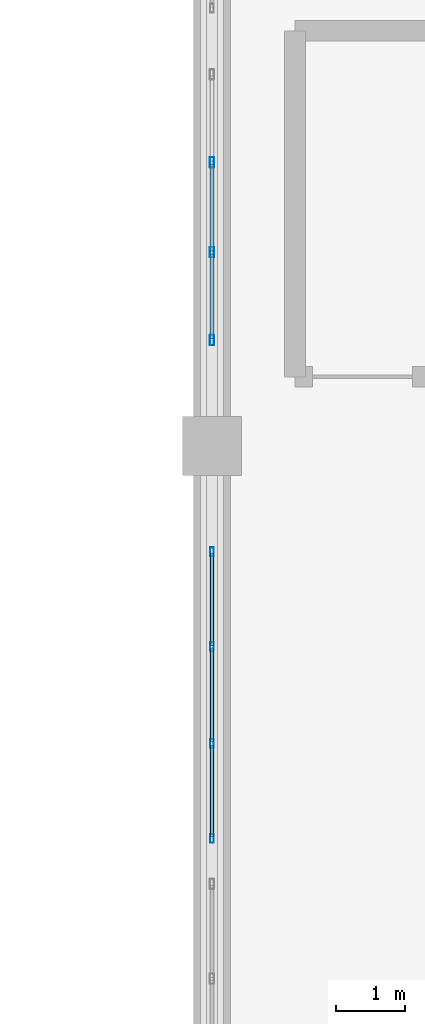
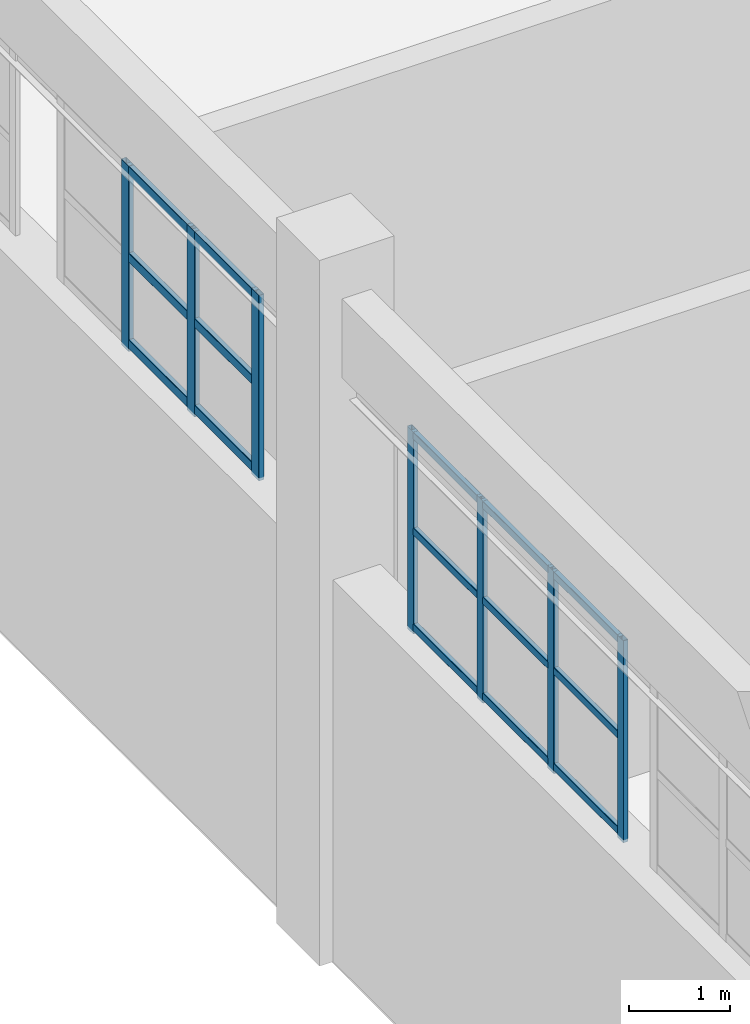
# One storey, part 38 of 97: 22 members, 2 elements without a shape of their own.
"""IFC4 building model written with IfcOpenShell, lengths in metres."""

from ifc_helpers import new_model, si_unit, derived_unit, direction, frame, origin, origin_2d, place, context, subcontext, project, spatial, hollow_rectangle, extrude, material, layer, layer_set, material_profile, profile_set, type_object, element, aggregate, save


model = new_model("IFC4")

# Units and contexts
model_context = context("Model", 3, precision=1e-05, world=origin(), true_north=direction((0.0, 1.0)))
body_context = subcontext(model_context, "Body", "Model", "MODEL_VIEW")
ifc_project = project(units=[si_unit("LENGTHUNIT", "METRE"), si_unit("AREAUNIT", "SQUARE_METRE"), si_unit("VOLUMEUNIT", "CUBIC_METRE"), si_unit("PLANEANGLEUNIT", "RADIAN"), si_unit("MASSUNIT", "GRAM", prefix="KILO"), derived_unit("THERMALTRANSMITTANCEUNIT", [(si_unit("POWERUNIT", "WATT"), 1), (si_unit("LENGTHUNIT", "METRE"), -2), (si_unit("THERMODYNAMICTEMPERATUREUNIT", "KELVIN"), -1)])], contexts=[model_context])

# Site, building, storey
site_placement = place(None, origin())
site = spatial("IfcSite", under=ifc_project, at=site_placement, CompositionType="ELEMENT")
building_placement = place(site_placement, origin())
building = spatial("IfcBuilding", under=site, at=building_placement, Name="Almenara Railside Exhibition Hall", CompositionType="ELEMENT")
storey_placement = place(building_placement, frame((0.0, 0.0, 10.800048828125)))
storey = spatial("IfcBuildingStorey", under=building, at=storey_placement, Name="L02", CompositionType="ELEMENT", Elevation=10.800048828125)

# Curtain wall, members
ifc_material_1 = material(Name="Bronze-anodised aluminium and low-E double glazing", Category="aluminium")
ifc_layer_1 = layer(ifc_material_1, 0.179931640625, Name="Bronze-anodised aluminium and low-E double glazing")
ifc_layer_set_1 = layer_set([ifc_layer_1], Name="Bronze-anodised aluminium and low-E double glazing")
curtain_wall_type_1 = type_object("IfcCurtainWallType", Name="West Hall Clerestory Curtain Wall 4200x2400", PredefinedType="NOTDEFINED", material=ifc_layer_set_1)
curtain_wall_1_placement = place(storey_placement, origin())
curtain_wall_1 = element("IfcCurtainWall", 1, at=curtain_wall_1_placement, inside=storey, type_object=curtain_wall_type_1, Name="Curtain wall CW-CL1-010", PredefinedType="NOTDEFINED")
ifc_material_2 = material(Name="Bronze-anodised aluminium", Category="aluminium")
ifc_material_profile_1 = material_profile(ifc_material_2, hollow_rectangle(XDim=0.054931640625, YDim=0.125, WallThickness=0.0029296875, InnerFilletRadius=0.0029296875, OuterFilletRadius=0.006103515625, at=origin_2d()), Name="ALU-MUL 55x125x3")
ifc_profile_set_1 = profile_set([ifc_material_profile_1], Name="Bronze-anodised aluminium")
member_type_1 = type_object("IfcMemberType", Name="Curtain Wall Mullion 55x125x3", PredefinedType="MULLION", material=ifc_profile_set_1)
member_1_placement = place(storey_placement, frame((12.0, 78.327392578125, 4.56494140625), z_axis=(0.0, 0.0, 1.0), x_axis=(-1.0, 0.0, 0.0)))
member_1 = element("IfcMember", 2, at=member_1_placement, type_object=member_type_1, Name="CW-CL1-010 mullion 1", PredefinedType="MULLION", context=body_context, shape_type="SweptSolid", body=[
    extrude(hollow_rectangle(XDim=0.054931640625, YDim=0.125, WallThickness=0.0029296875, InnerFilletRadius=0.0029296875, OuterFilletRadius=0.006103515625, at=origin_2d()), origin(), (0.0, 0.0, 1.0), 2.43505859375),
])
member_2_placement = place(storey_placement, frame((12.0, 79.699951171875, 4.56494140625), z_axis=(0.0, 0.0, 1.0), x_axis=(-1.0, 0.0, 0.0)))
member_2 = element("IfcMember", 3, at=member_2_placement, type_object=member_type_1, Name="CW-CL1-010 mullion 2", PredefinedType="MULLION", context=body_context, shape_type="SweptSolid", body=[
    extrude(hollow_rectangle(XDim=0.054931640625, YDim=0.125, WallThickness=0.0029296875, InnerFilletRadius=0.0029296875, OuterFilletRadius=0.006103515625, at=origin_2d()), origin(), (0.0, 0.0, 1.0), 2.43505859375),
])
member_3_placement = place(storey_placement, frame((12.0, 81.10009765625, 4.56494140625), z_axis=(0.0, 0.0, 1.0), x_axis=(-1.0, 0.0, 0.0)))
member_3 = element("IfcMember", 4, at=member_3_placement, type_object=member_type_1, Name="CW-CL1-010 mullion 3", PredefinedType="MULLION", context=body_context, shape_type="SweptSolid", body=[
    extrude(hollow_rectangle(XDim=0.054931640625, YDim=0.125, WallThickness=0.0029296875, InnerFilletRadius=0.0029296875, OuterFilletRadius=0.006103515625, at=origin_2d()), origin(), (0.0, 0.0, 1.0), 2.43505859375),
])
member_4_placement = place(storey_placement, frame((12.0, 82.472412109375, 4.56494140625), z_axis=(0.0, 0.0, 1.0), x_axis=(-1.0, 0.0, 0.0)))
member_4 = element("IfcMember", 5, at=member_4_placement, type_object=member_type_1, Name="CW-CL1-010 mullion 4", PredefinedType="MULLION", context=body_context, shape_type="SweptSolid", body=[
    extrude(hollow_rectangle(XDim=0.054931640625, YDim=0.125, WallThickness=0.0029296875, InnerFilletRadius=0.0029296875, OuterFilletRadius=0.006103515625, at=origin_2d()), origin(), (0.0, 0.0, 1.0), 2.43505859375),
])

ifc_layer_2 = layer(ifc_material_1, 0.179931640625, Name="Bronze-anodised aluminium and low-E double glazing")
ifc_layer_set_2 = layer_set([ifc_layer_2], Name="Bronze-anodised aluminium and low-E double glazing")
curtain_wall_type_2 = type_object("IfcCurtainWallType", Name="West Hall Clerestory Curtain Wall 3900x2200", PredefinedType="NOTDEFINED", material=ifc_layer_set_2)
curtain_wall_2_placement = place(storey_placement, origin())
curtain_wall_2 = element("IfcCurtainWall", 6, at=curtain_wall_2_placement, inside=storey, type_object=curtain_wall_type_2, Name="Curtain wall CW-CL2-013", PredefinedType="NOTDEFINED")
ifc_material_profile_2 = material_profile(ifc_material_2, hollow_rectangle(XDim=0.06005859375, YDim=0.14990234375, WallThickness=0.00341796875, InnerFilletRadius=0.00341796875, OuterFilletRadius=0.007080078125, at=origin_2d()), Name="ALU-MUL 60x150x3.5")
ifc_profile_set_2 = profile_set([ifc_material_profile_2], Name="Bronze-anodised aluminium")
member_type_2 = type_object("IfcMemberType", Name="Curtain Wall Mullion 60x150x3.5", PredefinedType="MULLION", material=ifc_profile_set_2)
member_5_placement = place(storey_placement, frame((12.0, 85.530029296875, 4.56494140625), z_axis=(0.0, 0.0, 1.0), x_axis=(-1.0, 0.0, 0.0)))
member_5 = element("IfcMember", 7, at=member_5_placement, type_object=member_type_2, Name="CW-CL2-013 mullion 1", PredefinedType="MULLION", context=body_context, shape_type="SweptSolid", body=[
    extrude(hollow_rectangle(XDim=0.06005859375, YDim=0.14990234375, WallThickness=0.00341796875, InnerFilletRadius=0.00341796875, OuterFilletRadius=0.007080078125, at=origin_2d()), origin(), (0.0, 0.0, 1.0), 2.235107421875),
])
member_6_placement = place(storey_placement, frame((12.0, 86.800048828125, 4.56494140625), z_axis=(0.0, 0.0, 1.0), x_axis=(-1.0, 0.0, 0.0)))
member_6 = element("IfcMember", 8, at=member_6_placement, type_object=member_type_2, Name="CW-CL2-013 mullion 2", PredefinedType="MULLION", context=body_context, shape_type="SweptSolid", body=[
    extrude(hollow_rectangle(XDim=0.06005859375, YDim=0.14990234375, WallThickness=0.00341796875, InnerFilletRadius=0.00341796875, OuterFilletRadius=0.007080078125, at=origin_2d()), origin(), (0.0, 0.0, 1.0), 2.235107421875),
])
member_7_placement = place(storey_placement, frame((12.0, 88.10009765625, 4.56494140625), z_axis=(0.0, 0.0, 1.0), x_axis=(-1.0, 0.0, 0.0)))
member_7 = element("IfcMember", 9, at=member_7_placement, type_object=member_type_2, Name="CW-CL2-013 mullion 3", PredefinedType="MULLION", context=body_context, shape_type="SweptSolid", body=[
    extrude(hollow_rectangle(XDim=0.06005859375, YDim=0.14990234375, WallThickness=0.00341796875, InnerFilletRadius=0.00341796875, OuterFilletRadius=0.007080078125, at=origin_2d()), origin(), (0.0, 0.0, 1.0), 2.235107421875),
])

# Member
ifc_material_profile_3 = material_profile(ifc_material_2, hollow_rectangle(XDim=0.054931640625, YDim=0.090087890625, WallThickness=0.0029296875, InnerFilletRadius=0.0029296875, OuterFilletRadius=0.006103515625, at=origin_2d()), Name="ALU-TRN 55x90x3")
ifc_profile_set_3 = profile_set([ifc_material_profile_3], Name="Bronze-anodised aluminium")
member_type_3 = type_object("IfcMemberType", Name="Curtain Wall Transom 55x90x3", PredefinedType="USERDEFINED", material=ifc_profile_set_3)
member_8_placement = place(storey_placement, frame((12.0, 78.346923828125, 4.64501953125), z_axis=(0.0, 1.0, 0.0), x_axis=(-1.0, 0.0, 0.0)))
member_8 = element("IfcMember", 10, at=member_8_placement, type_object=member_type_3, Name="CW-CL1-010 transom 1.1", ObjectType="TRANSOM", PredefinedType="USERDEFINED", context=body_context, shape_type="SweptSolid", body=[
    extrude(hollow_rectangle(XDim=0.054931640625, YDim=0.090087890625, WallThickness=0.0029296875, InnerFilletRadius=0.0029296875, OuterFilletRadius=0.006103515625, at=origin_2d()), origin(), (0.0, 0.0, 1.0), 1.33349609375),
])

member_9_placement = place(storey_placement, frame((12.0, 78.346923828125, 5.800048828125), z_axis=(0.0, 1.0, 0.0), x_axis=(-1.0, 0.0, 0.0)))
member_9 = element("IfcMember", 11, at=member_9_placement, type_object=member_type_3, Name="CW-CL1-010 transom 1.2", ObjectType="TRANSOM", PredefinedType="USERDEFINED", context=body_context, shape_type="SweptSolid", body=[
    extrude(hollow_rectangle(XDim=0.054931640625, YDim=0.090087890625, WallThickness=0.0029296875, InnerFilletRadius=0.0029296875, OuterFilletRadius=0.006103515625, at=origin_2d()), origin(), (0.0, 0.0, 1.0), 1.33349609375),
])

member_10_placement = place(storey_placement, frame((12.0, 78.346923828125, 6.954833984375), z_axis=(0.0, 1.0, 0.0), x_axis=(-1.0, 0.0, 0.0)))
member_10 = element("IfcMember", 12, at=member_10_placement, type_object=member_type_3, Name="CW-CL1-010 transom 1.3", ObjectType="TRANSOM", PredefinedType="USERDEFINED", context=body_context, shape_type="SweptSolid", body=[
    extrude(hollow_rectangle(XDim=0.054931640625, YDim=0.090087890625, WallThickness=0.0029296875, InnerFilletRadius=0.0029296875, OuterFilletRadius=0.006103515625, at=origin_2d()), origin(), (0.0, 0.0, 1.0), 1.33349609375),
])

member_11_placement = place(storey_placement, frame((12.0, 79.719482421875, 4.64501953125), z_axis=(0.0, 1.0, 0.0), x_axis=(-1.0, 0.0, 0.0)))
member_11 = element("IfcMember", 13, at=member_11_placement, type_object=member_type_3, Name="CW-CL1-010 transom 2.1", ObjectType="TRANSOM", PredefinedType="USERDEFINED", context=body_context, shape_type="SweptSolid", body=[
    extrude(hollow_rectangle(XDim=0.054931640625, YDim=0.090087890625, WallThickness=0.0029296875, InnerFilletRadius=0.0029296875, OuterFilletRadius=0.006103515625, at=origin_2d()), origin(), (0.0, 0.0, 1.0), 1.361083984375),
])

member_12_placement = place(storey_placement, frame((12.0, 79.719482421875, 5.800048828125), z_axis=(0.0, 1.0, 0.0), x_axis=(-1.0, 0.0, 0.0)))
member_12 = element("IfcMember", 14, at=member_12_placement, type_object=member_type_3, Name="CW-CL1-010 transom 2.2", ObjectType="TRANSOM", PredefinedType="USERDEFINED", context=body_context, shape_type="SweptSolid", body=[
    extrude(hollow_rectangle(XDim=0.054931640625, YDim=0.090087890625, WallThickness=0.0029296875, InnerFilletRadius=0.0029296875, OuterFilletRadius=0.006103515625, at=origin_2d()), origin(), (0.0, 0.0, 1.0), 1.361083984375),
])

member_13_placement = place(storey_placement, frame((12.0, 79.719482421875, 6.954833984375), z_axis=(0.0, 1.0, 0.0), x_axis=(-1.0, 0.0, 0.0)))
member_13 = element("IfcMember", 15, at=member_13_placement, type_object=member_type_3, Name="CW-CL1-010 transom 2.3", ObjectType="TRANSOM", PredefinedType="USERDEFINED", context=body_context, shape_type="SweptSolid", body=[
    extrude(hollow_rectangle(XDim=0.054931640625, YDim=0.090087890625, WallThickness=0.0029296875, InnerFilletRadius=0.0029296875, OuterFilletRadius=0.006103515625, at=origin_2d()), origin(), (0.0, 0.0, 1.0), 1.361083984375),
])

member_14_placement = place(storey_placement, frame((12.0, 81.119384765625, 4.64501953125), z_axis=(0.0, 1.0, 0.0), x_axis=(-1.0, 0.0, 0.0)))
member_14 = element("IfcMember", 16, at=member_14_placement, type_object=member_type_3, Name="CW-CL1-010 transom 3.1", ObjectType="TRANSOM", PredefinedType="USERDEFINED", context=body_context, shape_type="SweptSolid", body=[
    extrude(hollow_rectangle(XDim=0.054931640625, YDim=0.090087890625, WallThickness=0.0029296875, InnerFilletRadius=0.0029296875, OuterFilletRadius=0.006103515625, at=origin_2d()), origin(), (0.0, 0.0, 1.0), 1.33349609375),
])

member_15_placement = place(storey_placement, frame((12.0, 81.119384765625, 5.800048828125), z_axis=(0.0, 1.0, 0.0), x_axis=(-1.0, 0.0, 0.0)))
member_15 = element("IfcMember", 17, at=member_15_placement, type_object=member_type_3, Name="CW-CL1-010 transom 3.2", ObjectType="TRANSOM", PredefinedType="USERDEFINED", context=body_context, shape_type="SweptSolid", body=[
    extrude(hollow_rectangle(XDim=0.054931640625, YDim=0.090087890625, WallThickness=0.0029296875, InnerFilletRadius=0.0029296875, OuterFilletRadius=0.006103515625, at=origin_2d()), origin(), (0.0, 0.0, 1.0), 1.33349609375),
])

member_16_placement = place(storey_placement, frame((12.0, 81.119384765625, 6.954833984375), z_axis=(0.0, 1.0, 0.0), x_axis=(-1.0, 0.0, 0.0)))
member_16 = element("IfcMember", 18, at=member_16_placement, type_object=member_type_3, Name="CW-CL1-010 transom 3.3", ObjectType="TRANSOM", PredefinedType="USERDEFINED", context=body_context, shape_type="SweptSolid", body=[
    extrude(hollow_rectangle(XDim=0.054931640625, YDim=0.090087890625, WallThickness=0.0029296875, InnerFilletRadius=0.0029296875, OuterFilletRadius=0.006103515625, at=origin_2d()), origin(), (0.0, 0.0, 1.0), 1.33349609375),
])

aggregate(curtain_wall_1, [member_1, member_2, member_3, member_4, member_8, member_9, member_10, member_11, member_12, member_13, member_14, member_15, member_16])

ifc_material_profile_4 = material_profile(ifc_material_2, hollow_rectangle(XDim=0.06005859375, YDim=0.110107421875, WallThickness=0.0029296875, InnerFilletRadius=0.0029296875, OuterFilletRadius=0.006103515625, at=origin_2d()), Name="ALU-TRN 60x110x3")
ifc_profile_set_4 = profile_set([ifc_material_profile_4], Name="Bronze-anodised aluminium")
member_type_4 = type_object("IfcMemberType", Name="Curtain Wall Transom 60x110x3", PredefinedType="USERDEFINED", material=ifc_profile_set_4)
member_17_placement = place(storey_placement, frame((12.0, 85.552001953125, 4.655029296875), z_axis=(0.0, 1.0, 0.0), x_axis=(-1.0, 0.0, 0.0)))
member_17 = element("IfcMember", 19, at=member_17_placement, type_object=member_type_4, Name="CW-CL2-013 transom 1.1", ObjectType="TRANSOM", PredefinedType="USERDEFINED", context=body_context, shape_type="SweptSolid", body=[
    extrude(hollow_rectangle(XDim=0.06005859375, YDim=0.110107421875, WallThickness=0.0029296875, InnerFilletRadius=0.0029296875, OuterFilletRadius=0.006103515625, at=origin_2d()), origin(), (0.0, 0.0, 1.0), 1.22607421875),
])

member_18_placement = place(storey_placement, frame((12.0, 85.552001953125, 5.699951171875), z_axis=(0.0, 1.0, 0.0), x_axis=(-1.0, 0.0, 0.0)))
member_18 = element("IfcMember", 20, at=member_18_placement, type_object=member_type_4, Name="CW-CL2-013 transom 1.2", ObjectType="TRANSOM", PredefinedType="USERDEFINED", context=body_context, shape_type="SweptSolid", body=[
    extrude(hollow_rectangle(XDim=0.06005859375, YDim=0.110107421875, WallThickness=0.0029296875, InnerFilletRadius=0.0029296875, OuterFilletRadius=0.006103515625, at=origin_2d()), origin(), (0.0, 0.0, 1.0), 1.22607421875),
])

member_19_placement = place(storey_placement, frame((12.0, 85.552001953125, 6.744873046875), z_axis=(0.0, 1.0, 0.0), x_axis=(-1.0, 0.0, 0.0)))
member_19 = element("IfcMember", 21, at=member_19_placement, type_object=member_type_4, Name="CW-CL2-013 transom 1.3", ObjectType="TRANSOM", PredefinedType="USERDEFINED", context=body_context, shape_type="SweptSolid", body=[
    extrude(hollow_rectangle(XDim=0.06005859375, YDim=0.110107421875, WallThickness=0.0029296875, InnerFilletRadius=0.0029296875, OuterFilletRadius=0.006103515625, at=origin_2d()), origin(), (0.0, 0.0, 1.0), 1.22607421875),
])

member_20_placement = place(storey_placement, frame((12.0, 86.822021484375, 4.655029296875), z_axis=(0.0, 1.0, 0.0), x_axis=(-1.0, 0.0, 0.0)))
member_20 = element("IfcMember", 22, at=member_20_placement, type_object=member_type_4, Name="CW-CL2-013 transom 2.1", ObjectType="TRANSOM", PredefinedType="USERDEFINED", context=body_context, shape_type="SweptSolid", body=[
    extrude(hollow_rectangle(XDim=0.06005859375, YDim=0.110107421875, WallThickness=0.0029296875, InnerFilletRadius=0.0029296875, OuterFilletRadius=0.006103515625, at=origin_2d()), origin(), (0.0, 0.0, 1.0), 1.255859375),
])

member_21_placement = place(storey_placement, frame((12.0, 86.822021484375, 5.699951171875), z_axis=(0.0, 1.0, 0.0), x_axis=(-1.0, 0.0, 0.0)))
member_21 = element("IfcMember", 23, at=member_21_placement, type_object=member_type_4, Name="CW-CL2-013 transom 2.2", ObjectType="TRANSOM", PredefinedType="USERDEFINED", context=body_context, shape_type="SweptSolid", body=[
    extrude(hollow_rectangle(XDim=0.06005859375, YDim=0.110107421875, WallThickness=0.0029296875, InnerFilletRadius=0.0029296875, OuterFilletRadius=0.006103515625, at=origin_2d()), origin(), (0.0, 0.0, 1.0), 1.255859375),
])

member_22_placement = place(storey_placement, frame((12.0, 86.822021484375, 6.744873046875), z_axis=(0.0, 1.0, 0.0), x_axis=(-1.0, 0.0, 0.0)))
member_22 = element("IfcMember", 24, at=member_22_placement, type_object=member_type_4, Name="CW-CL2-013 transom 2.3", ObjectType="TRANSOM", PredefinedType="USERDEFINED", context=body_context, shape_type="SweptSolid", body=[
    extrude(hollow_rectangle(XDim=0.06005859375, YDim=0.110107421875, WallThickness=0.0029296875, InnerFilletRadius=0.0029296875, OuterFilletRadius=0.006103515625, at=origin_2d()), origin(), (0.0, 0.0, 1.0), 1.255859375),
])

aggregate(curtain_wall_2, [member_5, member_6, member_7, member_17, member_18, member_19, member_20, member_21, member_22])

save(model, "model.ifc")
